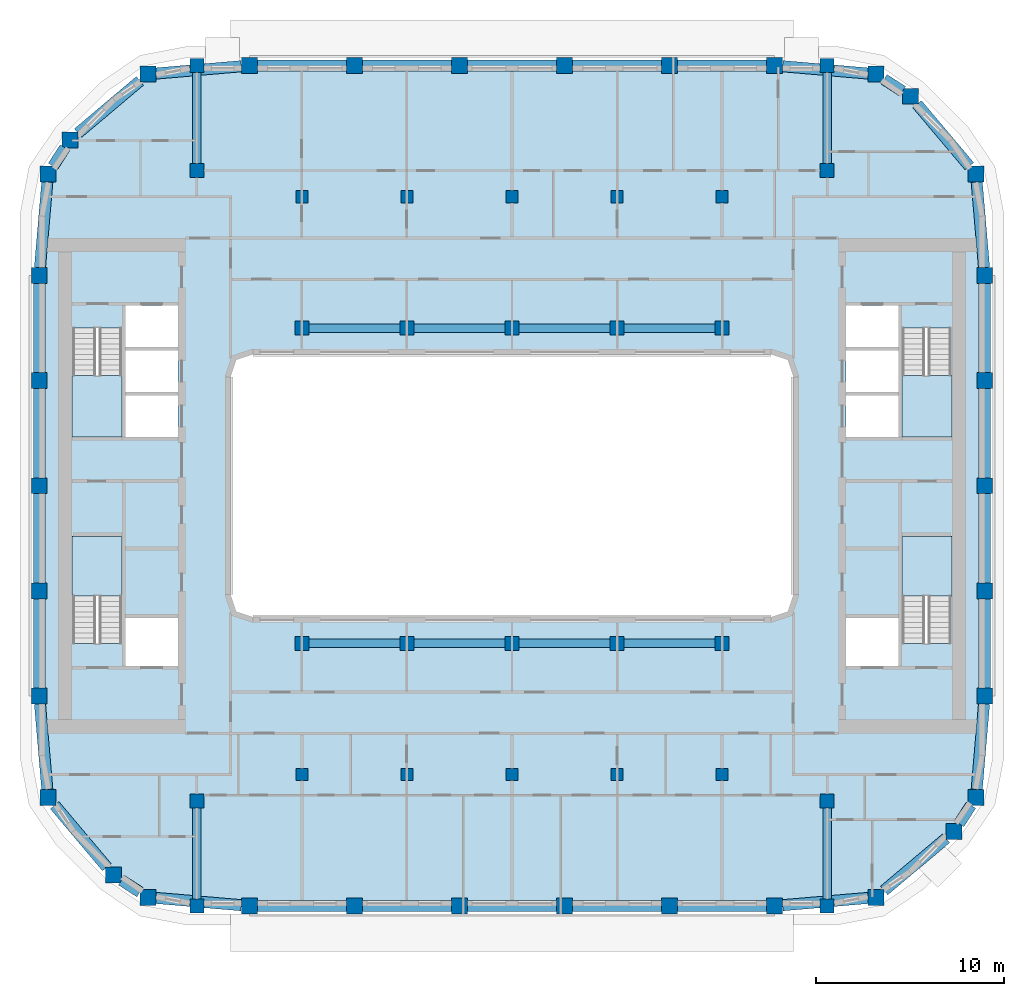
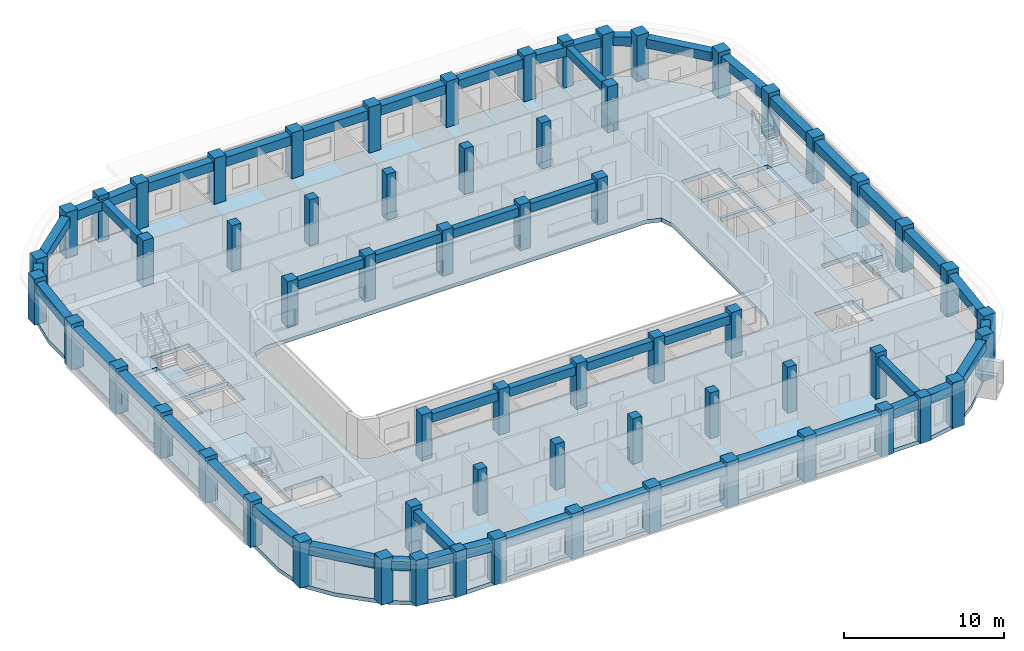
# One storey, part 1 of 21: 62 columns, 46 beams, 5 slabs, 4 elements without a shape of their own.
"""IFC4 building model written with IfcOpenShell, lengths in metres."""

from ifc_helpers import new_model, si_unit, direction, frame, origin, origin_2d, place, context, subcontext, project, spatial, polyline, rectangle, outline, extrude, material, layer, layer_set, material_profile, profile_set, type_object, element, aggregate, save


model = new_model("IFC4")

# Units and contexts
model_context = context("Model", 3, precision=1e-05, world=origin(), true_north=direction((0.0, 1.0)))
body_context = subcontext(model_context, "Body", "Model", "MODEL_VIEW")
ifc_project = project(units=[si_unit("LENGTHUNIT", "METRE"), si_unit("AREAUNIT", "SQUARE_METRE"), si_unit("VOLUMEUNIT", "CUBIC_METRE"), si_unit("PLANEANGLEUNIT", "RADIAN"), si_unit("MASSUNIT", "GRAM", prefix="KILO")], contexts=[model_context])

# Site, building, storey
site_placement = place(None, origin())
site = spatial("IfcSite", under=ifc_project, at=site_placement, CompositionType="ELEMENT")
building_placement = place(site_placement, origin())
building = spatial("IfcBuilding", under=site, at=building_placement, Name="Kiln Ring Residences", CompositionType="ELEMENT")
storey_placement = place(building_placement, frame((0.0, 0.0, 220.39990234375)))
storey = spatial("IfcBuildingStorey", under=building, at=storey_placement, Name="L57", CompositionType="ELEMENT", Elevation=220.39990234375)

# Columns
ifc_material_1 = material(Name="Concrete C70/85", Category="concrete")
ifc_material_profile_1 = material_profile(ifc_material_1, rectangle(XDim=0.64990234375, YDim=0.64990234375, at=origin_2d()), Name="RC650x650")
ifc_profile_set_1 = profile_set([ifc_material_profile_1], Name="Concrete C70/85")
column_type_1 = type_object("IfcColumnType", Name="Corridor column RC650x650 C70/85", PredefinedType="COLUMN", material=ifc_profile_set_1)
for number, where, z_axis, x_axis, name in (
    (1, (-11.199951171875, 15.39990234375, 0.0), (0.0, 0.0, 1.0), (1.0, 0.0, 0.0), "Corridor column L57 1"),
    (2, (-5.60009765625, 15.39990234375, 0.0), (0.0, 0.0, 1.0), (1.0, 0.0, 0.0), "Corridor column L57 2"),
    (3, (0.0, 15.39990234375, 0.0), (0.0, 0.0, 1.0), (1.0, 0.0, 0.0), "Corridor column L57 3"),
    (4, (5.60009765625, 15.39990234375, 0.0), (0.0, 0.0, 1.0), (1.0, 0.0, 0.0), "Corridor column L57 4"),
    (5, (11.199951171875, 15.39990234375, 0.0), (0.0, 0.0, 1.0), (1.0, 0.0, 0.0), "Corridor column L57 5"),
    (6, (-11.199951171875, -15.39990234375, 0.0), (0.0, 0.0, 1.0), (1.0, 0.0, 0.0), "Corridor column L57 6"),
    (7, (-5.60009765625, -15.39990234375, 0.0), (0.0, 0.0, 1.0), (1.0, 0.0, 0.0), "Corridor column L57 7"),
    (8, (0.0, -15.39990234375, 0.0), (0.0, 0.0, 1.0), (1.0, 0.0, 0.0), "Corridor column L57 8"),
    (9, (5.60009765625, -15.39990234375, 0.0), (0.0, 0.0, 1.0), (1.0, 0.0, 0.0), "Corridor column L57 9"),
    (10, (11.199951171875, -15.39990234375, 0.0), (0.0, 0.0, 1.0), (1.0, 0.0, 0.0), "Corridor column L57 10"),
):
    element("IfcColumn", number, at=place(storey_placement, frame(where, z_axis=z_axis, x_axis=x_axis)), inside=storey, type_object=column_type_1, Name=name, PredefinedType="COLUMN", context=body_context, shape_type="SweptSolid", body=[
        extrude(rectangle(XDim=0.64990234375, YDim=0.64990234375, at=origin_2d()), origin(), (0.0, 0.0, 1.0), 3.5),
    ])
ifc_material_2 = material(Name="Concrete C70/85", Category="concrete")
ifc_material_profile_2 = material_profile(ifc_material_2, rectangle(XDim=0.85009765625, YDim=0.85009765625, at=origin_2d()), Name="RC850x850")
ifc_profile_set_2 = profile_set([ifc_material_profile_2], Name="Concrete C70/85")
column_type_2 = type_object("IfcColumnType", Name="Perimeter column RC850x850 C70/85", PredefinedType="COLUMN", material=ifc_profile_set_2)
for number, where, z_axis, x_axis, name in (
    (11, (-19.40869140625, -21.93798828125, 0.0), (0.0, 0.0, 1.0), (1.0, 0.0, 0.0), "Perimeter column L57 1"),
    (12, (-14.0, -22.39990234375, 0.0), (0.0, 0.0, 1.0), (1.0, 0.0, 0.0), "Perimeter column L57 2"),
    (13, (-8.39990234375, -22.39990234375, 0.0), (0.0, 0.0, 1.0), (1.0, 0.0, 0.0), "Perimeter column L57 3"),
    (14, (-2.800048828125, -22.39990234375, 0.0), (0.0, 0.0, 1.0), (1.0, 0.0, 0.0), "Perimeter column L57 4"),
    (15, (2.800048828125, -22.39990234375, 0.0), (0.0, 0.0, 1.0), (1.0, 0.0, 0.0), "Perimeter column L57 5"),
    (16, (8.39990234375, -22.39990234375, 0.0), (0.0, 0.0, 1.0), (1.0, 0.0, 0.0), "Perimeter column L57 6"),
    (17, (14.0, -22.39990234375, 0.0), (0.0, 0.0, 1.0), (1.0, 0.0, 0.0), "Perimeter column L57 7"),
    (18, (19.40869140625, -21.93798828125, 0.0), (0.0, 0.0, 1.0), (1.0, 0.0, 0.0), "Perimeter column L57 8"),
    (19, (23.559814453125, -18.440185546875, 0.0), (0.0, 0.0, 1.0), (1.0, 0.0, 0.0), "Perimeter column L57 9"),
    (20, (24.738037109375, -16.608642578125, 0.0), (0.0, 0.0, 1.0), (1.0, 0.0, 0.0), "Perimeter column L57 10"),
    (21, (25.199951171875, -11.199951171875, 0.0), (0.0, 0.0, 1.0), (1.0, 0.0, 0.0), "Perimeter column L57 11"),
    (22, (25.199951171875, -5.60009765625, 0.0), (0.0, 0.0, 1.0), (1.0, 0.0, 0.0), "Perimeter column L57 12"),
    (23, (25.199951171875, 0.0, 0.0), (0.0, 0.0, 1.0), (1.0, 0.0, 0.0), "Perimeter column L57 13"),
    (24, (25.199951171875, 5.60009765625, 0.0), (0.0, 0.0, 1.0), (1.0, 0.0, 0.0), "Perimeter column L57 14"),
    (25, (25.199951171875, 11.199951171875, 0.0), (0.0, 0.0, 1.0), (1.0, 0.0, 0.0), "Perimeter column L57 15"),
    (26, (24.738037109375, 16.608642578125, 0.0), (0.0, 0.0, 1.0), (1.0, 0.0, 0.0), "Perimeter column L57 16"),
    (27, (21.240234375, 20.759765625, 0.0), (0.0, 0.0, 1.0), (1.0, 0.0, 0.0), "Perimeter column L57 17"),
    (28, (19.40869140625, 21.93798828125, 0.0), (0.0, 0.0, 1.0), (1.0, 0.0, 0.0), "Perimeter column L57 18"),
    (29, (14.0, 22.39990234375, 0.0), (0.0, 0.0, 1.0), (1.0, 0.0, 0.0), "Perimeter column L57 19"),
    (30, (8.39990234375, 22.39990234375, 0.0), (0.0, 0.0, 1.0), (1.0, 0.0, 0.0), "Perimeter column L57 20"),
    (31, (2.800048828125, 22.39990234375, 0.0), (0.0, 0.0, 1.0), (1.0, 0.0, 0.0), "Perimeter column L57 21"),
    (32, (-2.800048828125, 22.39990234375, 0.0), (0.0, 0.0, 1.0), (1.0, 0.0, 0.0), "Perimeter column L57 22"),
    (33, (-8.39990234375, 22.39990234375, 0.0), (0.0, 0.0, 1.0), (1.0, 0.0, 0.0), "Perimeter column L57 23"),
    (34, (-14.0, 22.39990234375, 0.0), (0.0, 0.0, 1.0), (1.0, 0.0, 0.0), "Perimeter column L57 24"),
    (35, (-19.40869140625, 21.93798828125, 0.0), (0.0, 0.0, 1.0), (1.0, 0.0, 0.0), "Perimeter column L57 25"),
    (36, (-23.559814453125, 18.440185546875, 0.0), (0.0, 0.0, 1.0), (1.0, 0.0, 0.0), "Perimeter column L57 26"),
    (37, (-24.738037109375, 16.608642578125, 0.0), (0.0, 0.0, 1.0), (1.0, 0.0, 0.0), "Perimeter column L57 27"),
    (38, (-25.199951171875, 11.199951171875, 0.0), (0.0, 0.0, 1.0), (1.0, 0.0, 0.0), "Perimeter column L57 28"),
    (39, (-25.199951171875, 5.60009765625, 0.0), (0.0, 0.0, 1.0), (1.0, 0.0, 0.0), "Perimeter column L57 29"),
    (40, (-25.199951171875, 0.0, 0.0), (0.0, 0.0, 1.0), (1.0, 0.0, 0.0), "Perimeter column L57 30"),
    (41, (-25.199951171875, -5.60009765625, 0.0), (0.0, 0.0, 1.0), (1.0, 0.0, 0.0), "Perimeter column L57 31"),
    (42, (-25.199951171875, -11.199951171875, 0.0), (0.0, 0.0, 1.0), (1.0, 0.0, 0.0), "Perimeter column L57 32"),
    (43, (-24.738037109375, -16.608642578125, 0.0), (0.0, 0.0, 1.0), (1.0, 0.0, 0.0), "Perimeter column L57 33"),
    (44, (-21.240234375, -20.759765625, 0.0), (0.0, 0.0, 1.0), (1.0, 0.0, 0.0), "Perimeter column L57 34"),
):
    element("IfcColumn", number, at=place(storey_placement, frame(where, z_axis=z_axis, x_axis=x_axis)), inside=storey, type_object=column_type_2, Name=name, PredefinedType="COLUMN", context=body_context, shape_type="SweptSolid", body=[
        extrude(rectangle(XDim=0.85009765625, YDim=0.85009765625, at=origin_2d()), origin(), (0.0, 0.0, 1.0), 3.5),
    ])
ifc_material_3 = material(Name="Concrete C70/85", Category="concrete")
ifc_material_profile_3 = material_profile(ifc_material_3, rectangle(XDim=0.75, YDim=0.75, at=origin_2d()), Name="RC750x750")
ifc_profile_set_3 = profile_set([ifc_material_profile_3], Name="Concrete C70/85")
column_type_3 = type_object("IfcColumnType", Name="Ring column RC750x750 C70/85", PredefinedType="COLUMN", material=ifc_profile_set_3)
for number, where, z_axis, x_axis, name in (
    (45, (-16.800048828125, -22.39990234375, 0.0), (0.0, 0.0, 1.0), (1.0, 0.0, 0.0), "Ring column L57 1"),
    (46, (-16.800048828125, -16.800048828125, 0.0), (0.0, 0.0, 1.0), (1.0, 0.0, 0.0), "Ring column L57 2"),
    (47, (-16.800048828125, 16.800048828125, 0.0), (0.0, 0.0, 1.0), (1.0, 0.0, 0.0), "Ring column L57 3"),
    (48, (-16.800048828125, 22.39990234375, 0.0), (0.0, 0.0, 1.0), (1.0, 0.0, 0.0), "Ring column L57 4"),
    (49, (-11.199951171875, -8.39990234375, 0.0), (0.0, 0.0, 1.0), (1.0, 0.0, 0.0), "Ring column L57 5"),
    (50, (-11.199951171875, 8.39990234375, 0.0), (0.0, 0.0, 1.0), (1.0, 0.0, 0.0), "Ring column L57 6"),
    (51, (-5.60009765625, -8.39990234375, 0.0), (0.0, 0.0, 1.0), (1.0, 0.0, 0.0), "Ring column L57 7"),
    (52, (-5.60009765625, 8.39990234375, 0.0), (0.0, 0.0, 1.0), (1.0, 0.0, 0.0), "Ring column L57 8"),
    (53, (0.0, -8.39990234375, 0.0), (0.0, 0.0, 1.0), (1.0, 0.0, 0.0), "Ring column L57 9"),
    (54, (0.0, 8.39990234375, 0.0), (0.0, 0.0, 1.0), (1.0, 0.0, 0.0), "Ring column L57 10"),
    (55, (5.60009765625, -8.39990234375, 0.0), (0.0, 0.0, 1.0), (1.0, 0.0, 0.0), "Ring column L57 11"),
    (56, (5.60009765625, 8.39990234375, 0.0), (0.0, 0.0, 1.0), (1.0, 0.0, 0.0), "Ring column L57 12"),
    (57, (11.199951171875, -8.39990234375, 0.0), (0.0, 0.0, 1.0), (1.0, 0.0, 0.0), "Ring column L57 13"),
    (58, (11.199951171875, 8.39990234375, 0.0), (0.0, 0.0, 1.0), (1.0, 0.0, 0.0), "Ring column L57 14"),
    (59, (16.800048828125, -22.39990234375, 0.0), (0.0, 0.0, 1.0), (1.0, 0.0, 0.0), "Ring column L57 15"),
    (60, (16.800048828125, -16.800048828125, 0.0), (0.0, 0.0, 1.0), (1.0, 0.0, 0.0), "Ring column L57 16"),
    (61, (16.800048828125, 16.800048828125, 0.0), (0.0, 0.0, 1.0), (1.0, 0.0, 0.0), "Ring column L57 17"),
    (62, (16.800048828125, 22.39990234375, 0.0), (0.0, 0.0, 1.0), (1.0, 0.0, 0.0), "Ring column L57 18"),
):
    element("IfcColumn", number, at=place(storey_placement, frame(where, z_axis=z_axis, x_axis=x_axis)), inside=storey, type_object=column_type_3, Name=name, PredefinedType="COLUMN", context=body_context, shape_type="SweptSolid", body=[
        extrude(rectangle(XDim=0.75, YDim=0.75, at=origin_2d()), origin(), (0.0, 0.0, 1.0), 3.5),
    ])

# Beams
ifc_material_4 = material(Name="Concrete C50/60", Category="concrete")
ifc_material_profile_4 = material_profile(ifc_material_4, rectangle(XDim=0.449951171875, YDim=0.64990234375, at=origin_2d()), Name="RC450x650")
ifc_profile_set_4 = profile_set([ifc_material_profile_4], Name="Concrete C50/60")
beam_type_1 = type_object("IfcBeamType", Name="Ring beam RC450x650 C50/60", PredefinedType="BEAM", material=ifc_profile_set_4)
beam_1_placement = place(storey_placement, frame((-10.824951171875, -8.39990234375, 2.875), z_axis=(1.0, 0.0, 0.0), x_axis=(0.0, 1.0, 0.0)))
element("IfcBeam", 63, at=beam_1_placement, inside=storey, type_object=beam_type_1, Name="Ring beam L57 1", PredefinedType="BEAM", context=body_context, shape_type="SweptSolid", body=[
    extrude(rectangle(XDim=0.449951171875, YDim=0.64990234375, at=origin_2d()), origin(), (0.0, 0.0, 1.0), 4.849853515625),
])
for number, where, z_axis, x_axis, name in (
    (64, (-5.22509765625, -8.39990234375, 2.875), (1.0, 0.0, 0.0), (0.0, 1.0, 0.0), "Ring beam L57 2"),
    (65, (0.375, -8.39990234375, 2.875), (1.0, 0.0, 0.0), (0.0, 1.0, 0.0), "Ring beam L57 3"),
):
    element("IfcBeam", number, at=place(storey_placement, frame(where, z_axis=z_axis, x_axis=x_axis)), inside=storey, type_object=beam_type_1, Name=name, PredefinedType="BEAM", context=body_context, shape_type="SweptSolid", body=[
        extrude(rectangle(XDim=0.449951171875, YDim=0.64990234375, at=origin_2d()), origin(), (0.0, 0.0, 1.0), 4.85009765625),
    ])
for number, where, z_axis, x_axis, name in (
    (66, (5.97509765625, -8.39990234375, 2.875), (1.0, 0.0, 0.0), (0.0, 1.0, 0.0), "Ring beam L57 4"),
    (67, (-10.824951171875, 8.39990234375, 2.875), (1.0, 0.0, 0.0), (0.0, 1.0, 0.0), "Ring beam L57 5"),
):
    element("IfcBeam", number, at=place(storey_placement, frame(where, z_axis=z_axis, x_axis=x_axis)), inside=storey, type_object=beam_type_1, Name=name, PredefinedType="BEAM", context=body_context, shape_type="SweptSolid", body=[
        extrude(rectangle(XDim=0.449951171875, YDim=0.64990234375, at=origin_2d()), origin(), (0.0, 0.0, 1.0), 4.849853515625),
    ])
for number, where, z_axis, x_axis, name in (
    (68, (-5.22509765625, 8.39990234375, 2.875), (1.0, 0.0, 0.0), (0.0, 1.0, 0.0), "Ring beam L57 6"),
    (69, (0.375, 8.39990234375, 2.875), (1.0, 0.0, 0.0), (0.0, 1.0, 0.0), "Ring beam L57 7"),
):
    element("IfcBeam", number, at=place(storey_placement, frame(where, z_axis=z_axis, x_axis=x_axis)), inside=storey, type_object=beam_type_1, Name=name, PredefinedType="BEAM", context=body_context, shape_type="SweptSolid", body=[
        extrude(rectangle(XDim=0.449951171875, YDim=0.64990234375, at=origin_2d()), origin(), (0.0, 0.0, 1.0), 4.85009765625),
    ])
for number, where, z_axis, x_axis, name in (
    (70, (5.97509765625, 8.39990234375, 2.875), (1.0, 0.0, 0.0), (0.0, 1.0, 0.0), "Ring beam L57 8"),
    (71, (-16.800048828125, -17.175048828125, 2.875), (0.0, -1.0, 0.0), (1.0, 0.0, 0.0), "Ring beam L57 9"),
    (72, (-16.800048828125, 17.175048828125, 2.875), (0.0, 1.0, 0.0), (-1.0, 0.0, 0.0), "Ring beam L57 10"),
    (73, (16.800048828125, -17.175048828125, 2.875), (0.0, -1.0, 0.0), (1.0, 0.0, 0.0), "Ring beam L57 11"),
    (74, (16.800048828125, 17.175048828125, 2.875), (0.0, 1.0, 0.0), (-1.0, 0.0, 0.0), "Ring beam L57 12"),
):
    element("IfcBeam", number, at=place(storey_placement, frame(where, z_axis=z_axis, x_axis=x_axis)), inside=storey, type_object=beam_type_1, Name=name, PredefinedType="BEAM", context=body_context, shape_type="SweptSolid", body=[
        extrude(rectangle(XDim=0.449951171875, YDim=0.64990234375, at=origin_2d()), origin(), (0.0, 0.0, 1.0), 4.849853515625),
    ])
ifc_material_5 = material(Name="Concrete C50/60", Category="concrete")
ifc_material_profile_5 = material_profile(ifc_material_5, rectangle(XDim=0.60009765625, YDim=0.699951171875, at=origin_2d()), Name="RC600x700")
ifc_profile_set_5 = profile_set([ifc_material_profile_5], Name="Concrete C50/60")
beam_type_2 = type_object("IfcBeamType", Name="Spandrel beam RC600x700 C50/60", PredefinedType="SPANDREL", material=ifc_profile_set_5)
beam_2_placement = place(storey_placement, frame((-18.983642578125, -21.974365234375, 2.85009765625), z_axis=(0.996371385312, -0.085112058675, 0.0), x_axis=(0.085112058675, 0.996371385312, 0.0)))
element("IfcBeam", 75, at=beam_2_placement, inside=storey, type_object=beam_type_2, Name="Spandrel beam L57 1", PredefinedType="SPANDREL", context=body_context, shape_type="SweptSolid", body=[
    extrude(rectangle(XDim=0.60009765625, YDim=0.699951171875, at=origin_2d()), origin(), (0.0, 0.0, 1.0), 4.5751953125),
])
for number, where, z_axis, x_axis, name in (
    (76, (-13.574951171875, -22.39990234375, 2.85009765625), (1.0, 0.0, 0.0), (0.0, 1.0, 0.0), "Spandrel beam L57 2"),
    (77, (-7.97509765625, -22.39990234375, 2.85009765625), (1.0, 0.0, 0.0), (0.0, 1.0, 0.0), "Spandrel beam L57 3"),
    (78, (-2.375, -22.39990234375, 2.85009765625), (1.0, 0.0, 0.0), (0.0, 1.0, 0.0), "Spandrel beam L57 4"),
    (79, (3.22509765625, -22.39990234375, 2.85009765625), (1.0, 0.0, 0.0), (0.0, 1.0, 0.0), "Spandrel beam L57 5"),
    (80, (8.824951171875, -22.39990234375, 2.85009765625), (1.0, 0.0, 0.0), (0.0, 1.0, 0.0), "Spandrel beam L57 6"),
):
    element("IfcBeam", number, at=place(storey_placement, frame(where, z_axis=z_axis, x_axis=x_axis)), inside=storey, type_object=beam_type_2, Name=name, PredefinedType="SPANDREL", context=body_context, shape_type="SweptSolid", body=[
        extrude(rectangle(XDim=0.60009765625, YDim=0.699951171875, at=origin_2d()), origin(), (0.0, 0.0, 1.0), 4.75),
    ])
beam_3_placement = place(storey_placement, frame((14.425048828125, -22.36376953125, 2.85009765625), z_axis=(0.996371385312, 0.085112058675, 0.0), x_axis=(-0.085112058675, 0.996371385312, 0.0)))
element("IfcBeam", 81, at=beam_3_placement, inside=storey, type_object=beam_type_2, Name="Spandrel beam L57 7", PredefinedType="SPANDREL", context=body_context, shape_type="SweptSolid", body=[
    extrude(rectangle(XDim=0.60009765625, YDim=0.699951171875, at=origin_2d()), origin(), (0.0, 0.0, 1.0), 4.5751953125),
])
beam_4_placement = place(storey_placement, frame((19.833740234375, -21.580078125, 2.85009765625), z_axis=(0.764691163306, 0.64439694658, 0.0), x_axis=(-0.64439694658, 0.764691163306, 0.0)))
element("IfcBeam", 82, at=beam_4_placement, inside=storey, type_object=beam_type_2, Name="Spandrel beam L57 8", PredefinedType="SPANDREL", context=body_context, shape_type="SweptSolid", body=[
    extrude(rectangle(XDim=0.60009765625, YDim=0.699951171875, at=origin_2d()), origin(), (0.0, 0.0, 1.0), 4.31689453125),
])
beam_5_placement = place(storey_placement, frame((23.833251953125, -18.01513671875, 2.85009765625), z_axis=(0.541011334995, 0.84101530034, 0.0), x_axis=(-0.84101530034, 0.541011334995, 0.0)))
element("IfcBeam", 83, at=beam_5_placement, inside=storey, type_object=beam_type_2, Name="Spandrel beam L57 9", PredefinedType="SPANDREL", context=body_context, shape_type="SweptSolid", body=[
    extrude(rectangle(XDim=0.60009765625, YDim=0.699951171875, at=origin_2d()), origin(), (0.0, 0.0, 1.0), 1.1669921875),
])
beam_6_placement = place(storey_placement, frame((24.7744140625, -16.18359375, 2.85009765625), z_axis=(0.085112058675, 0.996371385312, 0.0), x_axis=(-0.996371385312, 0.085112058675, 0.0)))
element("IfcBeam", 84, at=beam_6_placement, inside=storey, type_object=beam_type_2, Name="Spandrel beam L57 10", PredefinedType="SPANDREL", context=body_context, shape_type="SweptSolid", body=[
    extrude(rectangle(XDim=0.60009765625, YDim=0.699951171875, at=origin_2d()), origin(), (0.0, 0.0, 1.0), 4.5751953125),
])
for number, where, z_axis, x_axis, name in (
    (85, (25.199951171875, -10.77490234375, 2.85009765625), (0.0, 1.0, 0.0), (-1.0, 0.0, 0.0), "Spandrel beam L57 11"),
    (86, (25.199951171875, -5.175048828125, 2.85009765625), (0.0, 1.0, 0.0), (-1.0, 0.0, 0.0), "Spandrel beam L57 12"),
    (87, (25.199951171875, 0.425048828125, 2.85009765625), (0.0, 1.0, 0.0), (-1.0, 0.0, 0.0), "Spandrel beam L57 13"),
    (88, (25.199951171875, 6.02490234375, 2.85009765625), (0.0, 1.0, 0.0), (-1.0, 0.0, 0.0), "Spandrel beam L57 14"),
):
    element("IfcBeam", number, at=place(storey_placement, frame(where, z_axis=z_axis, x_axis=x_axis)), inside=storey, type_object=beam_type_2, Name=name, PredefinedType="SPANDREL", context=body_context, shape_type="SweptSolid", body=[
        extrude(rectangle(XDim=0.60009765625, YDim=0.699951171875, at=origin_2d()), origin(), (0.0, 0.0, 1.0), 4.75),
    ])
beam_7_placement = place(storey_placement, frame((25.163818359375, 11.625, 2.85009765625), z_axis=(-0.085112058675, 0.996371385312, 0.0), x_axis=(-0.996371385312, -0.085112058675, 0.0)))
element("IfcBeam", 89, at=beam_7_placement, inside=storey, type_object=beam_type_2, Name="Spandrel beam L57 15", PredefinedType="SPANDREL", context=body_context, shape_type="SweptSolid", body=[
    extrude(rectangle(XDim=0.60009765625, YDim=0.699951171875, at=origin_2d()), origin(), (0.0, 0.0, 1.0), 4.5751953125),
])
beam_8_placement = place(storey_placement, frame((24.3798828125, 17.03369140625, 2.85009765625), z_axis=(-0.644363873614, 0.764719032313, 0.0), x_axis=(-0.764719032313, -0.644363873614, 0.0)))
element("IfcBeam", 90, at=beam_8_placement, inside=storey, type_object=beam_type_2, Name="Spandrel beam L57 16", PredefinedType="SPANDREL", context=body_context, shape_type="SweptSolid", body=[
    extrude(rectangle(XDim=0.60009765625, YDim=0.699951171875, at=origin_2d()), origin(), (0.0, 0.0, 1.0), 4.316650390625),
])
beam_9_placement = place(storey_placement, frame((20.815185546875, 21.033203125, 2.85009765625), z_axis=(-0.840920108806, 0.54115928395, 0.0), x_axis=(-0.54115928395, -0.840920108806, 0.0)))
element("IfcBeam", 91, at=beam_9_placement, inside=storey, type_object=beam_type_2, Name="Spandrel beam L57 17", PredefinedType="SPANDREL", context=body_context, shape_type="SweptSolid", body=[
    extrude(rectangle(XDim=0.60009765625, YDim=0.699951171875, at=origin_2d()), origin(), (0.0, 0.0, 1.0), 1.1669921875),
])
beam_10_placement = place(storey_placement, frame((18.983642578125, 21.974365234375, 2.85009765625), z_axis=(-0.996371385312, 0.085112058675, 0.0), x_axis=(-0.085112058675, -0.996371385312, 0.0)))
element("IfcBeam", 92, at=beam_10_placement, inside=storey, type_object=beam_type_2, Name="Spandrel beam L57 18", PredefinedType="SPANDREL", context=body_context, shape_type="SweptSolid", body=[
    extrude(rectangle(XDim=0.60009765625, YDim=0.699951171875, at=origin_2d()), origin(), (0.0, 0.0, 1.0), 4.5751953125),
])
for number, where, z_axis, x_axis, name in (
    (93, (13.574951171875, 22.39990234375, 2.85009765625), (-1.0, 0.0, 0.0), (0.0, -1.0, 0.0), "Spandrel beam L57 19"),
    (94, (7.97509765625, 22.39990234375, 2.85009765625), (-1.0, 0.0, 0.0), (0.0, -1.0, 0.0), "Spandrel beam L57 20"),
    (95, (2.375, 22.39990234375, 2.85009765625), (-1.0, 0.0, 0.0), (0.0, -1.0, 0.0), "Spandrel beam L57 21"),
    (96, (-3.22509765625, 22.39990234375, 2.85009765625), (-1.0, 0.0, 0.0), (0.0, -1.0, 0.0), "Spandrel beam L57 22"),
    (97, (-8.824951171875, 22.39990234375, 2.85009765625), (-1.0, 0.0, 0.0), (0.0, -1.0, 0.0), "Spandrel beam L57 23"),
):
    element("IfcBeam", number, at=place(storey_placement, frame(where, z_axis=z_axis, x_axis=x_axis)), inside=storey, type_object=beam_type_2, Name=name, PredefinedType="SPANDREL", context=body_context, shape_type="SweptSolid", body=[
        extrude(rectangle(XDim=0.60009765625, YDim=0.699951171875, at=origin_2d()), origin(), (0.0, 0.0, 1.0), 4.75),
    ])
beam_11_placement = place(storey_placement, frame((-14.425048828125, 22.36376953125, 2.85009765625), z_axis=(-0.996371385312, -0.085112058675, 0.0), x_axis=(0.085112058675, -0.996371385312, 0.0)))
element("IfcBeam", 98, at=beam_11_placement, inside=storey, type_object=beam_type_2, Name="Spandrel beam L57 24", PredefinedType="SPANDREL", context=body_context, shape_type="SweptSolid", body=[
    extrude(rectangle(XDim=0.60009765625, YDim=0.699951171875, at=origin_2d()), origin(), (0.0, 0.0, 1.0), 4.5751953125),
])
beam_12_placement = place(storey_placement, frame((-19.833740234375, 21.580078125, 2.85009765625), z_axis=(-0.764691163306, -0.64439694658, 0.0), x_axis=(0.64439694658, -0.764691163306, 0.0)))
element("IfcBeam", 99, at=beam_12_placement, inside=storey, type_object=beam_type_2, Name="Spandrel beam L57 25", PredefinedType="SPANDREL", context=body_context, shape_type="SweptSolid", body=[
    extrude(rectangle(XDim=0.60009765625, YDim=0.699951171875, at=origin_2d()), origin(), (0.0, 0.0, 1.0), 4.31689453125),
])
beam_13_placement = place(storey_placement, frame((-23.833251953125, 18.01513671875, 2.85009765625), z_axis=(-0.541011334995, -0.84101530034, 0.0), x_axis=(0.84101530034, -0.541011334995, 0.0)))
element("IfcBeam", 100, at=beam_13_placement, inside=storey, type_object=beam_type_2, Name="Spandrel beam L57 26", PredefinedType="SPANDREL", context=body_context, shape_type="SweptSolid", body=[
    extrude(rectangle(XDim=0.60009765625, YDim=0.699951171875, at=origin_2d()), origin(), (0.0, 0.0, 1.0), 1.1669921875),
])
beam_14_placement = place(storey_placement, frame((-24.7744140625, 16.18359375, 2.85009765625), z_axis=(-0.085112058675, -0.996371385312, 0.0), x_axis=(0.996371385312, -0.085112058675, 0.0)))
element("IfcBeam", 101, at=beam_14_placement, inside=storey, type_object=beam_type_2, Name="Spandrel beam L57 27", PredefinedType="SPANDREL", context=body_context, shape_type="SweptSolid", body=[
    extrude(rectangle(XDim=0.60009765625, YDim=0.699951171875, at=origin_2d()), origin(), (0.0, 0.0, 1.0), 4.5751953125),
])
for number, where, z_axis, x_axis, name in (
    (102, (-25.199951171875, 10.77490234375, 2.85009765625), (0.0, -1.0, 0.0), (1.0, 0.0, 0.0), "Spandrel beam L57 28"),
    (103, (-25.199951171875, 5.175048828125, 2.85009765625), (0.0, -1.0, 0.0), (1.0, 0.0, 0.0), "Spandrel beam L57 29"),
    (104, (-25.199951171875, -0.425048828125, 2.85009765625), (0.0, -1.0, 0.0), (1.0, 0.0, 0.0), "Spandrel beam L57 30"),
    (105, (-25.199951171875, -6.02490234375, 2.85009765625), (0.0, -1.0, 0.0), (1.0, 0.0, 0.0), "Spandrel beam L57 31"),
):
    element("IfcBeam", number, at=place(storey_placement, frame(where, z_axis=z_axis, x_axis=x_axis)), inside=storey, type_object=beam_type_2, Name=name, PredefinedType="SPANDREL", context=body_context, shape_type="SweptSolid", body=[
        extrude(rectangle(XDim=0.60009765625, YDim=0.699951171875, at=origin_2d()), origin(), (0.0, 0.0, 1.0), 4.75),
    ])
beam_15_placement = place(storey_placement, frame((-25.163818359375, -11.625, 2.85009765625), z_axis=(0.085112058675, -0.996371385312, 0.0), x_axis=(0.996371385312, 0.085112058675, 0.0)))
element("IfcBeam", 106, at=beam_15_placement, inside=storey, type_object=beam_type_2, Name="Spandrel beam L57 32", PredefinedType="SPANDREL", context=body_context, shape_type="SweptSolid", body=[
    extrude(rectangle(XDim=0.60009765625, YDim=0.699951171875, at=origin_2d()), origin(), (0.0, 0.0, 1.0), 4.5751953125),
])
beam_16_placement = place(storey_placement, frame((-24.3798828125, -17.03369140625, 2.85009765625), z_axis=(0.644363873614, -0.764719032313, 0.0), x_axis=(0.764719032313, 0.644363873614, 0.0)))
element("IfcBeam", 107, at=beam_16_placement, inside=storey, type_object=beam_type_2, Name="Spandrel beam L57 33", PredefinedType="SPANDREL", context=body_context, shape_type="SweptSolid", body=[
    extrude(rectangle(XDim=0.60009765625, YDim=0.699951171875, at=origin_2d()), origin(), (0.0, 0.0, 1.0), 4.316650390625),
])
beam_17_placement = place(storey_placement, frame((-20.815185546875, -21.033203125, 2.85009765625), z_axis=(0.840920108806, -0.54115928395, 0.0), x_axis=(0.54115928395, 0.840920108806, 0.0)))
element("IfcBeam", 108, at=beam_17_placement, inside=storey, type_object=beam_type_2, Name="Spandrel beam L57 34", PredefinedType="SPANDREL", context=body_context, shape_type="SweptSolid", body=[
    extrude(rectangle(XDim=0.60009765625, YDim=0.699951171875, at=origin_2d()), origin(), (0.0, 0.0, 1.0), 1.1669921875),
])

# Stair, slab
ifc_material_6 = material(Name="Concrete C40/50", Category="concrete")
stair_type = type_object("IfcStairType", Name="CORE-STAIR", PredefinedType="HALF_TURN_STAIR", material=ifc_material_6)
placement_1 = place(storey_placement, origin())
stair_1 = element("IfcStair", 109, at=placement_1, inside=storey, type_object=stair_type, Name="L57 stair W-STN", PredefinedType="HALF_TURN_STAIR")
ifc_material_7 = material(Name="Concrete C40/50", Category="concrete")
ifc_layer_1 = layer(ifc_material_7, 0.199951171875)
ifc_layer_set_1 = layer_set([ifc_layer_1], Name="CORE-STAIR-LANDING")
slab_type_1 = type_object("IfcSlabType", Name="CORE-STAIR-LANDING", PredefinedType="LANDING", material=ifc_layer_set_1)
placement_2 = place(storey_placement, frame((0.0, 0.0, 1.550048828125)))
slab_1 = element("IfcSlab", 110, at=placement_2, type_object=slab_type_1, Name="W-STN landing 1", PredefinedType="LANDING", context=body_context, shape_type="SweptSolid", body=[
    extrude(outline(polyline([(-23.449951171875, 5.8798828125), (-23.449951171875, 2.60009765625), (-20.800048828125, 2.60009765625), (-20.800048828125, 5.8798828125), (-23.449951171875, 5.8798828125)])), origin(), (0.0, 0.0, 1.0), 0.199951171875),
])
aggregate(stair_1, [slab_1])

stair_2 = element("IfcStair", 111, at=placement_1, inside=storey, type_object=stair_type, Name="L57 stair W-STS", PredefinedType="HALF_TURN_STAIR")
slab_2 = element("IfcSlab", 112, at=placement_2, type_object=slab_type_1, Name="W-STS landing 1", PredefinedType="LANDING", context=body_context, shape_type="SweptSolid", body=[
    extrude(outline(polyline([(-20.800048828125, -5.8798828125), (-20.800048828125, -2.699951171875), (-23.449951171875, -2.699951171875), (-23.449951171875, -5.8798828125), (-20.800048828125, -5.8798828125)])), origin(), (0.0, 0.0, 1.0), 0.199951171875),
])
aggregate(stair_2, [slab_2])

stair_3 = element("IfcStair", 113, at=placement_1, inside=storey, type_object=stair_type, Name="L57 stair E-STN", PredefinedType="HALF_TURN_STAIR")
slab_3 = element("IfcSlab", 114, at=placement_2, type_object=slab_type_1, Name="E-STN landing 1", PredefinedType="LANDING", context=body_context, shape_type="SweptSolid", body=[
    extrude(outline(polyline([(20.800048828125, 5.8798828125), (20.800048828125, 2.60009765625), (23.449951171875, 2.60009765625), (23.449951171875, 5.8798828125), (20.800048828125, 5.8798828125)])), origin(), (0.0, 0.0, 1.0), 0.199951171875),
])
aggregate(stair_3, [slab_3])

stair_4 = element("IfcStair", 115, at=placement_1, inside=storey, type_object=stair_type, Name="L57 stair E-STS", PredefinedType="HALF_TURN_STAIR")
slab_4 = element("IfcSlab", 116, at=placement_2, type_object=slab_type_1, Name="E-STS landing 1", PredefinedType="LANDING", context=body_context, shape_type="SweptSolid", body=[
    extrude(outline(polyline([(23.449951171875, -5.8798828125), (23.449951171875, -2.699951171875), (20.800048828125, -2.699951171875), (20.800048828125, -5.8798828125), (23.449951171875, -5.8798828125)])), origin(), (0.0, 0.0, 1.0), 0.199951171875),
])
aggregate(stair_4, [slab_4])

# Slab
ifc_material_8 = material(Name="Concrete C40/50", Category="concrete")
ifc_layer_2 = layer(ifc_material_8, 0.300048828125)
ifc_layer_set_2 = layer_set([ifc_layer_2], Name="Floor slab 300")
slab_type_2 = type_object("IfcSlabType", Name="Floor slab 300", PredefinedType="FLOOR", material=ifc_layer_set_2)
slab_5_placement = place(storey_placement, frame((0.0, 0.0, -0.2998046875)))
element("IfcSlab", 117, at=slab_5_placement, inside=storey, type_object=slab_type_2, Name="Floor slab L57 1", PredefinedType="FLOOR", context=body_context, shape_type="SweptSolid", body=[
    extrude(outline(polyline([(-23.5029296875, -18.4970703125), (-21.297119140625, -20.702880859375), (-19.42431640625, -21.975830078125), (-17.199951171875, -22.39990234375), (17.199951171875, -22.39990234375), (19.42431640625, -21.975830078125), (21.297119140625, -20.702880859375), (23.5029296875, -18.4970703125), (24.775634765625, -16.624267578125), (25.199951171875, -14.39990234375), (25.199951171875, 14.39990234375), (24.775634765625, 16.624267578125), (23.5029296875, 18.4970703125), (21.297119140625, 20.702880859375), (19.42431640625, 21.975830078125), (17.199951171875, 22.39990234375), (-17.199951171875, 22.39990234375), (-19.42431640625, 21.975830078125), (-21.297119140625, 20.702880859375), (-23.5029296875, 18.4970703125), (-24.775634765625, 16.624267578125), (-25.199951171875, 14.39990234375), (-25.199951171875, -14.39990234375), (-24.775634765625, -16.624267578125), (-23.5029296875, -18.4970703125)]), holes=[polyline([(-14.699951171875, -6.699951171875), (-15.0, -5.800048828125), (-15.0, 5.800048828125), (-14.699951171875, 6.699951171875), (-13.800048828125, 7.0), (13.800048828125, 7.0), (14.699951171875, 6.699951171875), (15.0, 5.800048828125), (15.0, -5.800048828125), (14.699951171875, -6.699951171875), (13.800048828125, -7.0), (-13.800048828125, -7.0), (-14.699951171875, -6.699951171875)]), polyline([(20.800048828125, -8.39794921875), (20.800048828125, -2.699951171875), (23.39990234375, -2.699951171875), (23.39990234375, -8.39794921875), (20.800048828125, -8.39794921875)]), polyline([(23.39990234375, 2.60009765625), (20.800048828125, 2.60009765625), (20.800048828125, 8.39794921875), (23.39990234375, 8.39794921875), (23.39990234375, 2.60009765625)]), polyline([(17.800048828125, 2.60009765625), (17.800048828125, 4.800048828125), (20.60009765625, 4.800048828125), (20.60009765625, 2.60009765625), (17.800048828125, 2.60009765625)]), polyline([(17.800048828125, 5.0), (17.800048828125, 7.199951171875), (20.60009765625, 7.199951171875), (20.60009765625, 5.0), (17.800048828125, 5.0)]), polyline([(17.800048828125, 7.39990234375), (17.800048828125, 9.60009765625), (20.60009765625, 9.60009765625), (20.60009765625, 7.39990234375), (17.800048828125, 7.39990234375)]), polyline([(20.60009765625, -9.60009765625), (17.800048828125, -9.60009765625), (17.800048828125, -7.050048828125), (20.60009765625, -7.050048828125), (20.60009765625, -9.60009765625)]), polyline([(-17.800048828125, -7.050048828125), (-17.800048828125, -9.60009765625), (-20.60009765625, -9.60009765625), (-20.60009765625, -7.050048828125), (-17.800048828125, -7.050048828125)]), polyline([(-17.800048828125, 2.60009765625), (-20.60009765625, 2.60009765625), (-20.60009765625, 4.800048828125), (-17.800048828125, 4.800048828125), (-17.800048828125, 2.60009765625)]), polyline([(-17.800048828125, 5.0), (-20.60009765625, 5.0), (-20.60009765625, 7.199951171875), (-17.800048828125, 7.199951171875), (-17.800048828125, 5.0)]), polyline([(-17.800048828125, 7.39990234375), (-20.60009765625, 7.39990234375), (-20.60009765625, 9.60009765625), (-17.800048828125, 9.60009765625), (-17.800048828125, 7.39990234375)]), polyline([(-20.800048828125, -8.39794921875), (-23.39990234375, -8.39794921875), (-23.39990234375, -2.699951171875), (-20.800048828125, -2.699951171875), (-20.800048828125, -8.39794921875)]), polyline([(-20.800048828125, 8.39794921875), (-20.800048828125, 2.60009765625), (-23.39990234375, 2.60009765625), (-23.39990234375, 8.39794921875), (-20.800048828125, 8.39794921875)])]), origin(), (0.0, 0.0, 1.0), 0.2998046875),
])

save(model, "model.ifc")
